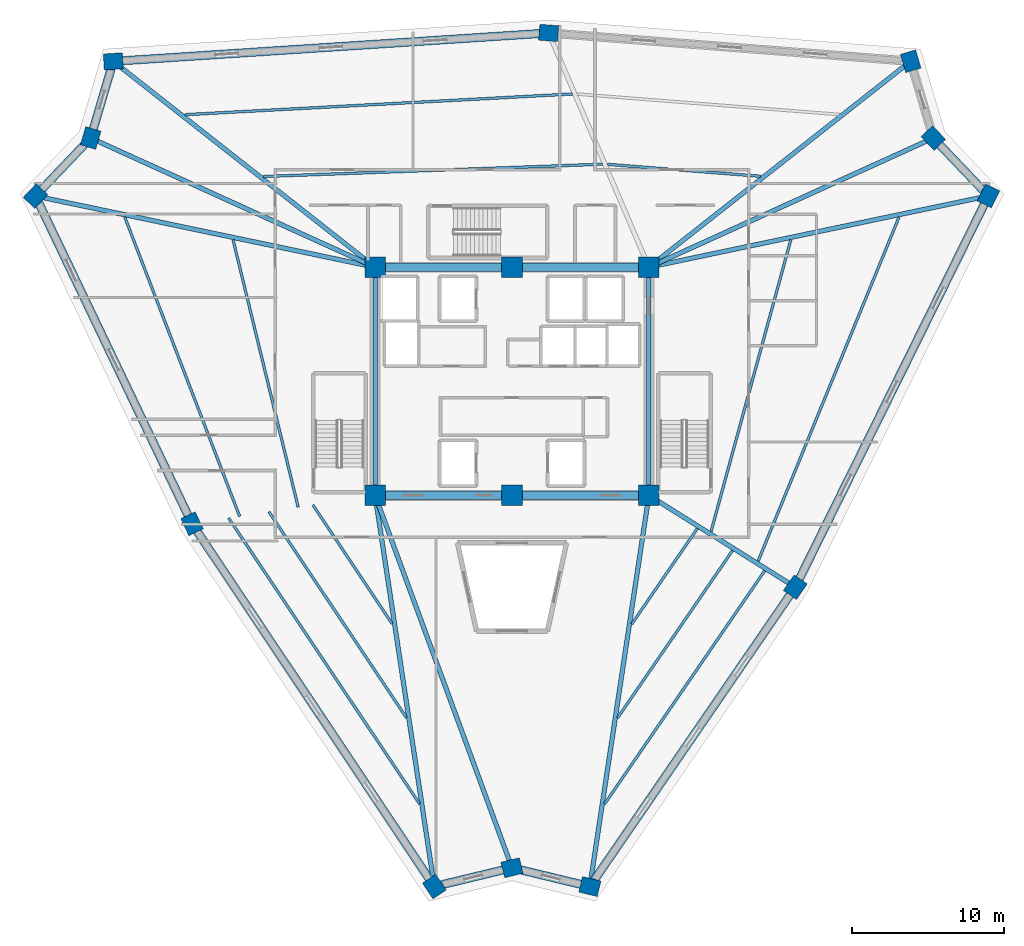
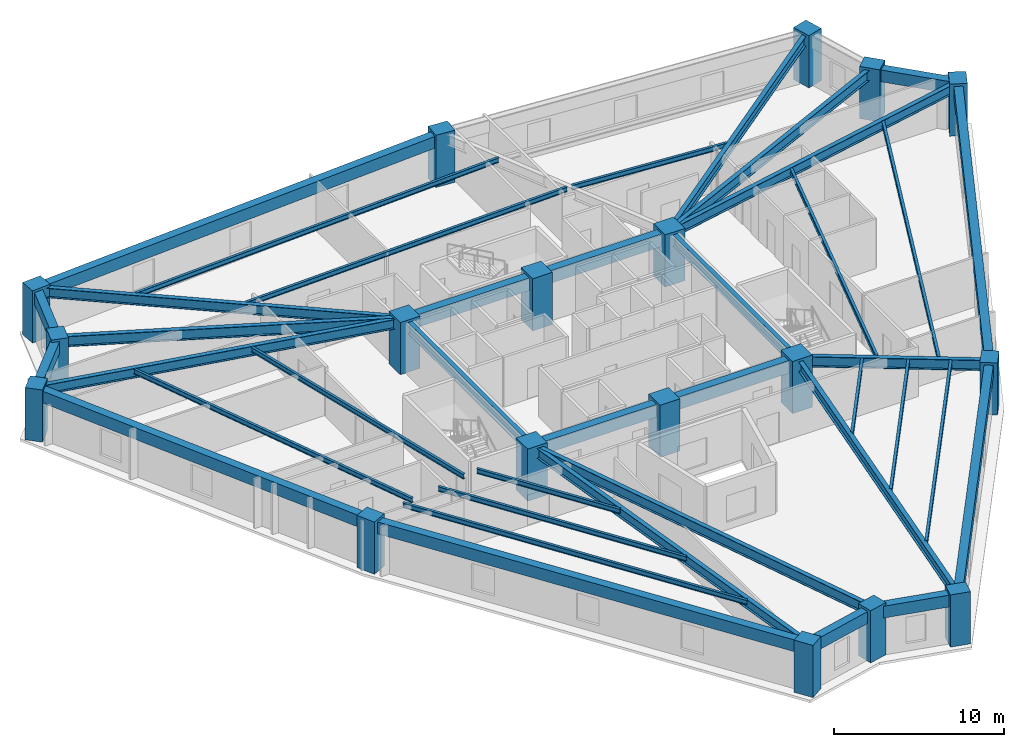
# One storey, part 1 of 8: 39 beams, 18 columns.
"""IFC4 building model written with IfcOpenShell, lengths in metres."""

from ifc_helpers import new_model, si_unit, direction, frame, origin, origin_2d, place, context, subcontext, project, spatial, rectangle, i_section, extrude, source, transform, mapped, material, material_profile, profile_set, type_object, element, save


model = new_model("IFC4")

# Units and contexts
model_context = context("Model", 3, precision=1e-05, world=origin(), true_north=direction((0.0, 1.0)))
body_context = subcontext(model_context, "Body", "Model", "MODEL_VIEW")
ifc_project = project(units=[si_unit("LENGTHUNIT", "METRE"), si_unit("AREAUNIT", "SQUARE_METRE"), si_unit("VOLUMEUNIT", "CUBIC_METRE"), si_unit("PLANEANGLEUNIT", "RADIAN"), si_unit("MASSUNIT", "GRAM", prefix="KILO")], contexts=[model_context])

# Site, building, storey
site_placement = place(None, origin())
site = spatial("IfcSite", under=ifc_project, at=site_placement, CompositionType="ELEMENT")
building_placement = place(site_placement, origin())
building = spatial("IfcBuilding", under=site, at=building_placement, Name="Liaohun Quay Tower", CompositionType="ELEMENT")
storey_placement = place(building_placement, frame((0.0, 0.0, 270.0)))
storey = spatial("IfcBuildingStorey", under=building, at=storey_placement, Name="L70", CompositionType="ELEMENT", Elevation=270.0)

# Columns
ifc_material_1 = material(Name="Concrete C55", Category="concrete")
ifc_material_profile_1 = material_profile(ifc_material_1, rectangle(XDim=1.35009765625, YDim=1.35009765625, at=origin_2d()), Name="RC1350x1350")
ifc_profile_set_1 = profile_set([ifc_material_profile_1], Name="Concrete C55")
column_type_1 = type_object("IfcColumnType", Name="COL-CC-Z3", PredefinedType="COLUMN", material=ifc_profile_set_1)
shared_shape_1 = source(origin(), body_context, "Body", "SweptSolid", [
    extrude(rectangle(XDim=1.35009765625, YDim=1.35009765625, at=origin_2d()), origin(), (0.0, 0.0, 1.0), 3.75),
])
for number, where, z_axis, x_axis, name in (
    (1, (51.0, 46.5, 0.0), (0.0, 0.0, 1.0), (1.0, 0.0, 0.0), "L70 Core Column CC1"),
    (2, (60.0, 46.5, 0.0), (0.0, 0.0, 1.0), (1.0, 0.0, 0.0), "L70 Core Column CC2"),
    (3, (69.0, 46.5, 0.0), (0.0, 0.0, 1.0), (1.0, 0.0, 0.0), "L70 Core Column CC3"),
    (4, (69.0, 61.5, 0.0), (0.0, 0.0, 1.0), (1.0, 0.0, 0.0), "L70 Core Column CC4"),
    (5, (60.0, 61.5, 0.0), (0.0, 0.0, 1.0), (1.0, 0.0, 0.0), "L70 Core Column CC5"),
    (6, (51.0, 61.5, 0.0), (0.0, 0.0, 1.0), (1.0, 0.0, 0.0), "L70 Core Column CC6"),
):
    element("IfcColumn", number, at=place(storey_placement, frame(where, z_axis=z_axis, x_axis=x_axis)), inside=storey, type_object=column_type_1, Name=name, PredefinedType="COLUMN", context=body_context, shape_type="MappedRepresentation", body=[
        mapped(shared_shape_1, transform((0.0, 0.0, 0.0), x_axis=(1.0, 0.0, 0.0), y_axis=(0.0, 1.0, 0.0), z_axis=(0.0, 0.0, 1.0), scale=1.0)),
    ])
ifc_material_profile_2 = material_profile(ifc_material_1, rectangle(XDim=1.25, YDim=1.050048828125, at=origin_2d()), Name="RC1250x1050")
ifc_profile_set_2 = profile_set([ifc_material_profile_2], Name="Concrete C55")
column_type_2 = type_object("IfcColumnType", Name="COL-PIER-Z3", PredefinedType="COLUMN", material=ifc_profile_set_2)
shared_shape_2 = source(origin(), body_context, "Body", "SweptSolid", [
    extrude(rectangle(XDim=1.25, YDim=1.050048828125, at=origin_2d()), origin(), (0.0, 0.0, 1.0), 3.75),
])
for number, where, z_axis, x_axis, name in (
    (7, (54.89208984375, 20.783935546875, 0.0), (0.0, 0.0, 1.0), (-0.555279961531, 0.831663492238, 0.0), "L70 Perimeter Pier PC01"),
    (8, (38.964111328125, 44.638916015625, 0.0), (0.0, 0.0, 1.0), (-0.430983630323, 0.902359745553, 0.0), "L70 Perimeter Pier PC02"),
    (9, (28.674072265625, 66.178955078125, 0.0), (0.0, 0.0, 1.0), (0.68936671806, 0.724412539946, 0.0), "L70 Perimeter Pier PC03"),
    (10, (32.302001953125, 69.991943359375, 0.0), (0.0, 0.0, 1.0), (0.282676303383, 0.959215360337, 0.0), "L70 Perimeter Pier PC04"),
    (11, (33.7880859375, 75.031982421875, 0.0), (0.0, 0.0, 1.0), (0.997881692444, 0.065054806779, 0.0), "L70 Perimeter Pier PC05"),
    (12, (62.412109375, 76.89892578125, 0.0), (0.0, 0.0, 1.0), (-0.996958278162, 0.077937100301, 0.0), "L70 Perimeter Pier PC06"),
    (13, (86.2099609375, 75.0400390625, 0.0), (0.0, 0.0, 1.0), (-0.282676303383, 0.959215360337, 0.0), "L70 Perimeter Pier PC07"),
    (14, (87.697998046875, 69.991943359375, 0.0), (0.0, 0.0, 1.0), (-0.68936671806, 0.724412539946, 0.0), "L70 Perimeter Pier PC08"),
    (15, (91.320068359375, 66.18505859375, 0.0), (0.0, 0.0, 1.0), (0.442601730913, 0.896718299017, 0.0), "L70 Perimeter Pier PC09"),
    (16, (78.625, 40.4619140625, 0.0), (0.0, 0.0, 1.0), (0.56597464784, 0.824422645251, 0.0), "L70 Perimeter Pier PC10"),
    (17, (65.115966796875, 20.781982421875, 0.0), (0.0, 0.0, 1.0), (-0.972043021443, 0.234802820391, 0.0), "L70 Perimeter Pier PC11"),
    (18, (60.0, 22.01708984375, 0.0), (0.0, 0.0, 1.0), (0.972043021443, 0.234802820391, 0.0), "L70 Perimeter Pier PC12"),
):
    element("IfcColumn", number, at=place(storey_placement, frame(where, z_axis=z_axis, x_axis=x_axis)), inside=storey, type_object=column_type_2, Name=name, PredefinedType="COLUMN", context=body_context, shape_type="MappedRepresentation", body=[
        mapped(shared_shape_2, transform((0.0, 0.0, 0.0), x_axis=(1.0, 0.0, 0.0), y_axis=(0.0, 1.0, 0.0), z_axis=(0.0, 0.0, 1.0), scale=1.0)),
    ])

# Beams
ifc_material_2 = material(Name="Steel Q355D", Category="steel")
ifc_material_profile_3 = material_profile(ifc_material_2, i_section(OverallWidth=0.300048828125, OverallDepth=0.800048828125, WebThickness=0.013916015625, FlangeThickness=0.02587890625, at=origin_2d()), Name="HN800x300x14x26")
ifc_profile_set_3 = profile_set([ifc_material_profile_3], Name="Steel Q355D")
beam_type_1 = type_object("IfcBeamType", Name="BM-RAD-M1", PredefinedType="BEAM", material=ifc_profile_set_3)
shared_shape_3 = source(origin(), body_context, "Body", "SweptSolid", [
    extrude(i_section(OverallWidth=0.300048828125, OverallDepth=0.800048828125, WebThickness=0.013916015625, FlangeThickness=0.02587890625, at=origin_2d()), origin(), (0.0, 0.0, 1.0), 15.0),
])
for number, where, z_axis, x_axis, name in (
    (19, (69.0, 46.5, 3.169921875), (0.0, 1.0, 0.0), (-1.0, 0.0, 0.0), "L70 Core Coupling/Ring Beam CC3-CC4"),
    (20, (51.0, 61.5, 3.169921875), (0.0, -1.0, 0.0), (1.0, 0.0, 0.0), "L70 Core Coupling/Ring Beam CC6-CC1"),
):
    element("IfcBeam", number, at=place(storey_placement, frame(where, z_axis=z_axis, x_axis=x_axis)), inside=storey, type_object=beam_type_1, Name=name, PredefinedType="BEAM", context=body_context, shape_type="MappedRepresentation", body=[
        mapped(shared_shape_3, transform((0.0, 0.0, 0.0), x_axis=(1.0, 0.0, 0.0), y_axis=(0.0, 1.0, 0.0), z_axis=(0.0, 0.0, 1.0), scale=1.0)),
    ])
ifc_material_profile_4 = material_profile(ifc_material_1, rectangle(XDim=0.550048828125, YDim=0.89990234375, at=origin_2d()), Name="RC550x900")
ifc_profile_set_4 = profile_set([ifc_material_profile_4], Name="Concrete C55")
beam_type_2 = type_object("IfcBeamType", Name="BM-CPL-2", PredefinedType="LINTEL", material=ifc_profile_set_4)
shared_shape_4 = source(origin(), body_context, "Body", "SweptSolid", [
    extrude(rectangle(XDim=0.550048828125, YDim=0.89990234375, at=origin_2d()), origin(), (0.0, 0.0, 1.0), 9.0),
])
for number, where, z_axis, x_axis, name in (
    (21, (51.0, 46.5, 3.1201171875), (1.0, 0.0, 0.0), (0.0, 1.0, 0.0), "L70 Core Coupling/Ring Beam CC1-CC2"),
    (22, (60.0, 46.5, 3.1201171875), (1.0, 0.0, 0.0), (0.0, 1.0, 0.0), "L70 Core Coupling/Ring Beam CC2-CC3"),
    (23, (69.0, 61.5, 3.1201171875), (-1.0, 0.0, 0.0), (0.0, -1.0, 0.0), "L70 Core Coupling/Ring Beam CC4-CC5"),
    (24, (60.0, 61.5, 3.1201171875), (-1.0, 0.0, 0.0), (0.0, -1.0, 0.0), "L70 Core Coupling/Ring Beam CC5-CC6"),
):
    element("IfcBeam", number, at=place(storey_placement, frame(where, z_axis=z_axis, x_axis=x_axis)), inside=storey, type_object=beam_type_2, Name=name, PredefinedType="LINTEL", context=body_context, shape_type="MappedRepresentation", body=[
        mapped(shared_shape_4, transform((0.0, 0.0, 0.0), x_axis=(1.0, 0.0, 0.0), y_axis=(0.0, 1.0, 0.0), z_axis=(0.0, 0.0, 1.0), scale=1.0)),
    ])
ifc_material_profile_5 = material_profile(ifc_material_2, i_section(OverallWidth=0.300048828125, OverallDepth=0.699951171875, WebThickness=0.012939453125, FlangeThickness=0.02392578125, at=origin_2d()), Name="HN700x300x13x24")
ifc_profile_set_5 = profile_set([ifc_material_profile_5], Name="Steel Q355D")
beam_type_3 = type_object("IfcBeamType", Name="BM-RAD-U1", PredefinedType="BEAM", material=ifc_profile_set_5)
shared_shape_5 = source(origin(), body_context, "Body", "SweptSolid", [
    extrude(i_section(OverallWidth=0.300048828125, OverallDepth=0.699951171875, WebThickness=0.012939453125, FlangeThickness=0.02392578125, at=origin_2d()), origin(), (0.0, 0.0, 1.0), 26.009033203125),
])
beam_1_placement = place(storey_placement, frame((51.0, 46.5, 3.219970703125), z_axis=(0.149644377799, -0.988739885002, 0.0), x_axis=(0.988739885002, 0.149644377799, 0.0)))
element("IfcBeam", 25, at=beam_1_placement, inside=storey, type_object=beam_type_3, Name="L70 Radial Primary Girder CC1-PC01", PredefinedType="BEAM", context=body_context, shape_type="MappedRepresentation", body=[
    mapped(shared_shape_5, transform((0.0, 0.0, 0.0), x_axis=(1.0, 0.0, 0.0), y_axis=(0.0, 1.0, 0.0), z_axis=(0.0, 0.0, 1.0), scale=1.0)),
])
shared_shape_6 = source(origin(), body_context, "Body", "SweptSolid", [
    extrude(i_section(OverallWidth=0.300048828125, OverallDepth=0.699951171875, WebThickness=0.012939453125, FlangeThickness=0.02392578125, at=origin_2d()), origin(), (0.0, 0.0, 1.0), 22.81103515625),
])
beam_2_placement = place(storey_placement, frame((51.0, 61.5, 3.219970703125), z_axis=(-0.978737089066, 0.205118771659, 0.0), x_axis=(-0.205118771659, -0.978737089066, 0.0)))
element("IfcBeam", 26, at=beam_2_placement, inside=storey, type_object=beam_type_3, Name="L70 Radial Primary Girder CC6-PC03", PredefinedType="BEAM", context=body_context, shape_type="MappedRepresentation", body=[
    mapped(shared_shape_6, transform((0.0, 0.0, 0.0), x_axis=(1.0, 0.0, 0.0), y_axis=(0.0, 1.0, 0.0), z_axis=(0.0, 0.0, 1.0), scale=1.0)),
])
ifc_material_profile_6 = material_profile(ifc_material_2, i_section(OverallWidth=0.300048828125, OverallDepth=0.75, WebThickness=0.013916015625, FlangeThickness=0.02587890625, at=origin_2d()), Name="HN750x300x14x26")
ifc_profile_set_6 = profile_set([ifc_material_profile_6], Name="Steel Q355D")
beam_type_4 = type_object("IfcBeamType", Name="BM-RAD-M2", PredefinedType="BEAM", material=ifc_profile_set_6)
shared_shape_7 = source(origin(), body_context, "Body", "SweptSolid", [
    extrude(i_section(OverallWidth=0.300048828125, OverallDepth=0.75, WebThickness=0.013916015625, FlangeThickness=0.02587890625, at=origin_2d()), origin(), (0.0, 0.0, 1.0), 20.5361328125),
])
for number, where, z_axis, x_axis, name in (
    (27, (51.0, 61.5, 3.195068359375), (-0.910497529977, 0.413514507491, 0.0), (-0.413514507491, -0.910497529977, 0.0), "L70 Radial Primary Girder CC6-PC04"),
    (28, (69.0, 61.5, 3.195068359375), (0.910497529977, 0.413514507491, 0.0), (-0.413514507491, 0.910497529977, 0.0), "L70 Radial Primary Girder CC4-PC08"),
):
    element("IfcBeam", number, at=place(storey_placement, frame(where, z_axis=z_axis, x_axis=x_axis)), inside=storey, type_object=beam_type_4, Name=name, PredefinedType="BEAM", context=body_context, shape_type="MappedRepresentation", body=[
        mapped(shared_shape_7, transform((0.0, 0.0, 0.0), x_axis=(1.0, 0.0, 0.0), y_axis=(0.0, 1.0, 0.0), z_axis=(0.0, 0.0, 1.0), scale=1.0)),
    ])
shared_shape_8 = source(origin(), body_context, "Body", "SweptSolid", [
    extrude(i_section(OverallWidth=0.300048828125, OverallDepth=0.699951171875, WebThickness=0.012939453125, FlangeThickness=0.02392578125, at=origin_2d()), origin(), (0.0, 0.0, 1.0), 21.894287109375),
])
beam_3_placement = place(storey_placement, frame((51.0, 61.5, 3.219970703125), z_axis=(-0.786133347588, 0.618056922791, 0.0), x_axis=(-0.618056922791, -0.786133347588, 0.0)))
element("IfcBeam", 29, at=beam_3_placement, inside=storey, type_object=beam_type_3, Name="L70 Radial Primary Girder CC6-PC05", PredefinedType="BEAM", context=body_context, shape_type="MappedRepresentation", body=[
    mapped(shared_shape_8, transform((0.0, 0.0, 0.0), x_axis=(1.0, 0.0, 0.0), y_axis=(0.0, 1.0, 0.0), z_axis=(0.0, 0.0, 1.0), scale=1.0)),
])
shared_shape_9 = source(origin(), body_context, "Body", "SweptSolid", [
    extrude(i_section(OverallWidth=0.300048828125, OverallDepth=0.699951171875, WebThickness=0.012939453125, FlangeThickness=0.02392578125, at=origin_2d()), origin(), (0.0, 0.0, 1.0), 21.89794921875),
])
beam_4_placement = place(storey_placement, frame((69.0, 61.5, 3.219970703125), z_axis=(0.785920467008, 0.618327598881, 0.0), x_axis=(-0.618327598881, 0.785920467008, 0.0)))
element("IfcBeam", 30, at=beam_4_placement, inside=storey, type_object=beam_type_3, Name="L70 Radial Primary Girder CC4-PC07", PredefinedType="BEAM", context=body_context, shape_type="MappedRepresentation", body=[
    mapped(shared_shape_9, transform((0.0, 0.0, 0.0), x_axis=(1.0, 0.0, 0.0), y_axis=(0.0, 1.0, 0.0), z_axis=(0.0, 0.0, 1.0), scale=1.0)),
])
shared_shape_10 = source(origin(), body_context, "Body", "SweptSolid", [
    extrude(i_section(OverallWidth=0.300048828125, OverallDepth=0.699951171875, WebThickness=0.012939453125, FlangeThickness=0.02392578125, at=origin_2d()), origin(), (0.0, 0.0, 1.0), 22.806396484375),
])
beam_5_placement = place(storey_placement, frame((69.0, 61.5, 3.219970703125), z_axis=(0.978672504065, 0.205426701738, 0.0), x_axis=(-0.205426701738, 0.978672504065, 0.0)))
element("IfcBeam", 31, at=beam_5_placement, inside=storey, type_object=beam_type_3, Name="L70 Radial Primary Girder CC4-PC09", PredefinedType="BEAM", context=body_context, shape_type="MappedRepresentation", body=[
    mapped(shared_shape_10, transform((0.0, 0.0, 0.0), x_axis=(1.0, 0.0, 0.0), y_axis=(0.0, 1.0, 0.0), z_axis=(0.0, 0.0, 1.0), scale=1.0)),
])
shared_shape_11 = source(origin(), body_context, "Body", "SweptSolid", [
    extrude(i_section(OverallWidth=0.300048828125, OverallDepth=0.75, WebThickness=0.013916015625, FlangeThickness=0.02587890625, at=origin_2d()), origin(), (0.0, 0.0, 1.0), 11.362060546875),
])
beam_6_placement = place(storey_placement, frame((69.0, 46.5, 3.195068359375), z_axis=(0.847108655866, -0.531419725976, 0.0), x_axis=(0.531419725976, 0.847108655866, 0.0)))
element("IfcBeam", 32, at=beam_6_placement, inside=storey, type_object=beam_type_4, Name="L70 Radial Primary Girder CC3-PC10", PredefinedType="BEAM", context=body_context, shape_type="MappedRepresentation", body=[
    mapped(shared_shape_11, transform((0.0, 0.0, 0.0), x_axis=(1.0, 0.0, 0.0), y_axis=(0.0, 1.0, 0.0), z_axis=(0.0, 0.0, 1.0), scale=1.0)),
])
shared_shape_12 = source(origin(), body_context, "Body", "SweptSolid", [
    extrude(i_section(OverallWidth=0.300048828125, OverallDepth=0.699951171875, WebThickness=0.012939453125, FlangeThickness=0.02392578125, at=origin_2d()), origin(), (0.0, 0.0, 1.0), 26.009765625),
])
beam_7_placement = place(storey_placement, frame((69.0, 46.5, 3.219970703125), z_axis=(-0.149330440374, -0.988787348006, 0.0), x_axis=(0.988787348006, -0.149330440374, 0.0)))
element("IfcBeam", 33, at=beam_7_placement, inside=storey, type_object=beam_type_3, Name="L70 Radial Primary Girder CC3-PC11", PredefinedType="BEAM", context=body_context, shape_type="MappedRepresentation", body=[
    mapped(shared_shape_12, transform((0.0, 0.0, 0.0), x_axis=(1.0, 0.0, 0.0), y_axis=(0.0, 1.0, 0.0), z_axis=(0.0, 0.0, 1.0), scale=1.0)),
])
shared_shape_13 = source(origin(), body_context, "Body", "SweptSolid", [
    extrude(i_section(OverallWidth=0.300048828125, OverallDepth=0.75, WebThickness=0.013916015625, FlangeThickness=0.02587890625, at=origin_2d()), origin(), (0.0, 0.0, 1.0), 26.084716796875),
])
beam_8_placement = place(storey_placement, frame((51.0, 46.5, 3.195068359375), z_axis=(0.345029511511, -0.938591836842, 0.0), x_axis=(0.938591836842, 0.345029511511, 0.0)))
element("IfcBeam", 34, at=beam_8_placement, inside=storey, type_object=beam_type_4, Name="L70 Radial Primary Girder CC1-PC12", PredefinedType="BEAM", context=body_context, shape_type="MappedRepresentation", body=[
    mapped(shared_shape_13, transform((0.0, 0.0, 0.0), x_axis=(1.0, 0.0, 0.0), y_axis=(0.0, 1.0, 0.0), z_axis=(0.0, 0.0, 1.0), scale=1.0)),
])
ifc_material_profile_7 = material_profile(ifc_material_2, i_section(OverallWidth=0.175048828125, OverallDepth=0.35009765625, WebThickness=0.007080078125, FlangeThickness=0.010986328125, at=origin_2d()), Name="HN350x175x7x11")
ifc_profile_set_7 = profile_set([ifc_material_profile_7], Name="Steel Q355D")
beam_type_5 = type_object("IfcBeamType", Name="BM-SEC-J3", PredefinedType="JOIST", material=ifc_profile_set_7)
shared_shape_14 = source(origin(), body_context, "Body", "SweptSolid", [
    extrude(i_section(OverallWidth=0.175048828125, OverallDepth=0.35009765625, WebThickness=0.007080078125, FlangeThickness=0.010986328125, at=origin_2d()), origin(), (0.0, 0.0, 1.0), 9.39892578125),
])
beam_9_placement = place(storey_placement, frame((52.126953125, 38.050048828125, 3.39501953125), z_axis=(-0.555269520232, 0.831670463526, 0.0), x_axis=(-0.831670463526, -0.555269520232, 0.0)))
element("IfcBeam", 35, at=beam_9_placement, inside=storey, type_object=beam_type_5, Name="L70 Wing Secondary Floor Joist SJ-01", PredefinedType="JOIST", context=body_context, shape_type="MappedRepresentation", body=[
    mapped(shared_shape_14, transform((0.0, 0.0, 0.0), x_axis=(1.0, 0.0, 0.0), y_axis=(0.0, 1.0, 0.0), z_axis=(0.0, 0.0, 1.0), scale=1.0)),
])
shared_shape_15 = source(origin(), body_context, "Body", "SweptSolid", [
    extrude(i_section(OverallWidth=0.175048828125, OverallDepth=0.35009765625, WebThickness=0.007080078125, FlangeThickness=0.010986328125, at=origin_2d()), origin(), (0.0, 0.0, 1.0), 16.283203125),
])
beam_10_placement = place(storey_placement, frame((53.06103515625, 31.87890625, 3.39501953125), z_axis=(-0.555295176571, 0.831653333353, 0.0), x_axis=(-0.831653333353, -0.555295176571, 0.0)))
element("IfcBeam", 36, at=beam_10_placement, inside=storey, type_object=beam_type_5, Name="L70 Wing Secondary Floor Joist SJ-02", PredefinedType="JOIST", context=body_context, shape_type="MappedRepresentation", body=[
    mapped(shared_shape_15, transform((0.0, 0.0, 0.0), x_axis=(1.0, 0.0, 0.0), y_axis=(0.0, 1.0, 0.0), z_axis=(0.0, 0.0, 1.0), scale=1.0)),
])
shared_shape_16 = source(origin(), body_context, "Body", "SweptSolid", [
    extrude(i_section(OverallWidth=0.175048828125, OverallDepth=0.35009765625, WebThickness=0.007080078125, FlangeThickness=0.010986328125, at=origin_2d()), origin(), (0.0, 0.0, 1.0), 22.593505859375),
])
beam_11_placement = place(storey_placement, frame((53.9169921875, 26.220947265625, 3.39501953125), z_axis=(-0.555288558085, 0.83165775248, 0.0), x_axis=(-0.83165775248, -0.555288558085, 0.0)))
element("IfcBeam", 37, at=beam_11_placement, inside=storey, type_object=beam_type_5, Name="L70 Wing Secondary Floor Joist SJ-03", PredefinedType="JOIST", context=body_context, shape_type="MappedRepresentation", body=[
    mapped(shared_shape_16, transform((0.0, 0.0, 0.0), x_axis=(1.0, 0.0, 0.0), y_axis=(0.0, 1.0, 0.0), z_axis=(0.0, 0.0, 1.0), scale=1.0)),
])
shared_shape_17 = source(origin(), body_context, "Body", "SweptSolid", [
    extrude(i_section(OverallWidth=0.175048828125, OverallDepth=0.35009765625, WebThickness=0.007080078125, FlangeThickness=0.010986328125, at=origin_2d()), origin(), (0.0, 0.0, 1.0), 18.099853515625),
])
beam_12_placement = place(storey_placement, frame((45.945068359375, 45.718017578125, 3.39501953125), z_axis=(-0.236627952665, 0.971600335538, 0.0), x_axis=(-0.971600335538, -0.236627952665, 0.0)))
element("IfcBeam", 38, at=beam_12_placement, inside=storey, type_object=beam_type_5, Name="L70 Wing Secondary Floor Joist SJ-04", PredefinedType="JOIST", context=body_context, shape_type="MappedRepresentation", body=[
    mapped(shared_shape_17, transform((0.0, 0.0, 0.0), x_axis=(1.0, 0.0, 0.0), y_axis=(0.0, 1.0, 0.0), z_axis=(0.0, 0.0, 1.0), scale=1.0)),
])
shared_shape_18 = source(origin(), body_context, "Body", "SweptSolid", [
    extrude(i_section(OverallWidth=0.175048828125, OverallDepth=0.35009765625, WebThickness=0.007080078125, FlangeThickness=0.010986328125, at=origin_2d()), origin(), (0.0, 0.0, 1.0), 21.07177734375),
])
beam_13_placement = place(storey_placement, frame((42.093017578125, 45.123046875, 3.39501953125), z_axis=(-0.358299645537, 0.933606643083, 0.0), x_axis=(-0.933606643083, -0.358299645537, 0.0)))
element("IfcBeam", 39, at=beam_13_placement, inside=storey, type_object=beam_type_5, Name="L70 Wing Secondary Floor Joist SJ-05", PredefinedType="JOIST", context=body_context, shape_type="MappedRepresentation", body=[
    mapped(shared_shape_18, transform((0.0, 0.0, 0.0), x_axis=(1.0, 0.0, 0.0), y_axis=(0.0, 1.0, 0.0), z_axis=(0.0, 0.0, 1.0), scale=1.0)),
])
shared_shape_19 = source(origin(), body_context, "Body", "SweptSolid", [
    extrude(i_section(OverallWidth=0.175048828125, OverallDepth=0.35009765625, WebThickness=0.007080078125, FlangeThickness=0.010986328125, at=origin_2d()), origin(), (0.0, 0.0, 1.0), 22.296630859375),
])
beam_14_placement = place(storey_placement, frame((43.658935546875, 67.4619140625, 3.39501953125), z_axis=(0.999342992579, 0.036243388141, 0.0), x_axis=(-0.036243388141, 0.999342992579, 0.0)))
element("IfcBeam", 40, at=beam_14_placement, inside=storey, type_object=beam_type_5, Name="L70 Wing Secondary Floor Joist SJ-06", PredefinedType="JOIST", context=body_context, shape_type="MappedRepresentation", body=[
    mapped(shared_shape_19, transform((0.0, 0.0, 0.0), x_axis=(1.0, 0.0, 0.0), y_axis=(0.0, 1.0, 0.0), z_axis=(0.0, 0.0, 1.0), scale=1.0)),
])
shared_shape_20 = source(origin(), body_context, "Body", "SweptSolid", [
    extrude(i_section(OverallWidth=0.175048828125, OverallDepth=0.35009765625, WebThickness=0.007080078125, FlangeThickness=0.010986328125, at=origin_2d()), origin(), (0.0, 0.0, 1.0), 25.511474609375),
])
beam_15_placement = place(storey_placement, frame((38.489990234375, 71.52587890625, 3.39501953125), z_axis=(0.998575771856, 0.053351924636, 0.0), x_axis=(-0.053351924636, 0.998575771856, 0.0)))
element("IfcBeam", 41, at=beam_15_placement, inside=storey, type_object=beam_type_5, Name="L70 Wing Secondary Floor Joist SJ-07", PredefinedType="JOIST", context=body_context, shape_type="MappedRepresentation", body=[
    mapped(shared_shape_20, transform((0.0, 0.0, 0.0), x_axis=(1.0, 0.0, 0.0), y_axis=(0.0, 1.0, 0.0), z_axis=(0.0, 0.0, 1.0), scale=1.0)),
])
shared_shape_21 = source(origin(), body_context, "Body", "SweptSolid", [
    extrude(i_section(OverallWidth=0.175048828125, OverallDepth=0.35009765625, WebThickness=0.007080078125, FlangeThickness=0.010986328125, at=origin_2d()), origin(), (0.0, 0.0, 1.0), 10.11279296875),
])
beam_16_placement = place(storey_placement, frame((66.27001953125, 68.261962890625, 3.39501953125), z_axis=(0.996968230919, -0.077809681525, 0.0), x_axis=(0.077809681525, 0.996968230919, 0.0)))
element("IfcBeam", 42, at=beam_16_placement, inside=storey, type_object=beam_type_5, Name="L70 Wing Secondary Floor Joist SJ-08", PredefinedType="JOIST", context=body_context, shape_type="MappedRepresentation", body=[
    mapped(shared_shape_21, transform((0.0, 0.0, 0.0), x_axis=(1.0, 0.0, 0.0), y_axis=(0.0, 1.0, 0.0), z_axis=(0.0, 0.0, 1.0), scale=1.0)),
])
shared_shape_22 = source(origin(), body_context, "Body", "SweptSolid", [
    extrude(i_section(OverallWidth=0.175048828125, OverallDepth=0.35009765625, WebThickness=0.007080078125, FlangeThickness=0.010986328125, at=origin_2d()), origin(), (0.0, 0.0, 1.0), 19.89404296875),
])
beam_17_placement = place(storey_placement, frame((78.330078125, 63.304931640625, 3.39501953125), z_axis=(-0.263700938904, -0.964604486212, 0.0), x_axis=(0.964604486212, -0.263700938904, 0.0)))
element("IfcBeam", 43, at=beam_17_placement, inside=storey, type_object=beam_type_5, Name="L70 Wing Secondary Floor Joist SJ-10", PredefinedType="JOIST", context=body_context, shape_type="MappedRepresentation", body=[
    mapped(shared_shape_22, transform((0.0, 0.0, 0.0), x_axis=(1.0, 0.0, 0.0), y_axis=(0.0, 1.0, 0.0), z_axis=(0.0, 0.0, 1.0), scale=1.0)),
])
shared_shape_23 = source(origin(), body_context, "Body", "SweptSolid", [
    extrude(i_section(OverallWidth=0.175048828125, OverallDepth=0.35009765625, WebThickness=0.007080078125, FlangeThickness=0.010986328125, at=origin_2d()), origin(), (0.0, 0.0, 1.0), 24.45068359375),
])
beam_18_placement = place(storey_placement, frame((85.447998046875, 64.799072265625, 3.39501953125), z_axis=(-0.379052709301, -0.92537508264, 0.0), x_axis=(0.92537508264, -0.379052709301, 0.0)))
element("IfcBeam", 44, at=beam_18_placement, inside=storey, type_object=beam_type_5, Name="L70 Wing Secondary Floor Joist SJ-11", PredefinedType="JOIST", context=body_context, shape_type="MappedRepresentation", body=[
    mapped(shared_shape_23, transform((0.0, 0.0, 0.0), x_axis=(1.0, 0.0, 0.0), y_axis=(0.0, 1.0, 0.0), z_axis=(0.0, 0.0, 1.0), scale=1.0)),
])
shared_shape_24 = source(origin(), body_context, "Body", "SweptSolid", [
    extrude(i_section(OverallWidth=0.175048828125, OverallDepth=0.35009765625, WebThickness=0.007080078125, FlangeThickness=0.010986328125, at=origin_2d()), origin(), (0.0, 0.0, 1.0), 7.622314453125),
])
beam_19_placement = place(storey_placement, frame((72.18798828125, 44.322998046875, 3.39501953125), z_axis=(-0.565972711745, -0.824423974397, 0.0), x_axis=(0.824423974397, -0.565972711745, 0.0)))
element("IfcBeam", 45, at=beam_19_placement, inside=storey, type_object=beam_type_5, Name="L70 Wing Secondary Floor Joist SJ-12", PredefinedType="JOIST", context=body_context, shape_type="MappedRepresentation", body=[
    mapped(shared_shape_24, transform((0.0, 0.0, 0.0), x_axis=(1.0, 0.0, 0.0), y_axis=(0.0, 1.0, 0.0), z_axis=(0.0, 0.0, 1.0), scale=1.0)),
])
shared_shape_25 = source(origin(), body_context, "Body", "SweptSolid", [
    extrude(i_section(OverallWidth=0.175048828125, OverallDepth=0.35009765625, WebThickness=0.007080078125, FlangeThickness=0.010986328125, at=origin_2d()), origin(), (0.0, 0.0, 1.0), 13.35107421875),
])
beam_20_placement = place(storey_placement, frame((74.498046875, 42.8740234375, 3.39501953125), z_axis=(-0.565958273742, -0.824433885999, 0.0), x_axis=(0.824433885999, -0.565958273742, 0.0)))
element("IfcBeam", 46, at=beam_20_placement, inside=storey, type_object=beam_type_5, Name="L70 Wing Secondary Floor Joist SJ-13", PredefinedType="JOIST", context=body_context, shape_type="MappedRepresentation", body=[
    mapped(shared_shape_25, transform((0.0, 0.0, 0.0), x_axis=(1.0, 0.0, 0.0), y_axis=(0.0, 1.0, 0.0), z_axis=(0.0, 0.0, 1.0), scale=1.0)),
])
shared_shape_26 = source(origin(), body_context, "Body", "SweptSolid", [
    extrude(i_section(OverallWidth=0.175048828125, OverallDepth=0.35009765625, WebThickness=0.007080078125, FlangeThickness=0.010986328125, at=origin_2d()), origin(), (0.0, 0.0, 1.0), 18.602783203125),
])
beam_21_placement = place(storey_placement, frame((76.614990234375, 41.5458984375, 3.39501953125), z_axis=(-0.565942733261, -0.82444455403, 0.0), x_axis=(0.82444455403, -0.565942733261, 0.0)))
element("IfcBeam", 47, at=beam_21_placement, inside=storey, type_object=beam_type_5, Name="L70 Wing Secondary Floor Joist SJ-14", PredefinedType="JOIST", context=body_context, shape_type="MappedRepresentation", body=[
    mapped(shared_shape_26, transform((0.0, 0.0, 0.0), x_axis=(1.0, 0.0, 0.0), y_axis=(0.0, 1.0, 0.0), z_axis=(0.0, 0.0, 1.0), scale=1.0)),
])
ifc_material_3 = material(Name="Precast concrete C50", Category="concrete")
ifc_material_profile_8 = material_profile(ifc_material_3, rectangle(XDim=0.550048828125, YDim=0.85009765625, at=origin_2d()), Name="RC550x850")
ifc_profile_set_8 = profile_set([ifc_material_profile_8], Name="Precast concrete C50")
beam_type_6 = type_object("IfcBeamType", Name="BM-SPD-Z3", PredefinedType="SPANDREL", material=ifc_profile_set_8)
shared_shape_27 = source(origin(), body_context, "Body", "SweptSolid", [
    extrude(rectangle(XDim=0.550048828125, YDim=0.85009765625, at=origin_2d()), origin(), (0.0, 0.0, 1.0), 28.683837890625),
])
beam_22_placement = place(storey_placement, frame((54.89208984375, 20.783935546875, 3.14501953125), z_axis=(-0.555295200769, 0.831653317196, 0.0), x_axis=(-0.831653317196, -0.555295200769, 0.0)))
element("IfcBeam", 48, at=beam_22_placement, inside=storey, type_object=beam_type_6, Name="L70 Precast Spandrel Beam PC01-PC02", PredefinedType="SPANDREL", context=body_context, shape_type="MappedRepresentation", body=[
    mapped(shared_shape_27, transform((0.0, 0.0, 0.0), x_axis=(1.0, 0.0, 0.0), y_axis=(0.0, 1.0, 0.0), z_axis=(0.0, 0.0, 1.0), scale=1.0)),
])
shared_shape_28 = source(origin(), body_context, "Body", "SweptSolid", [
    extrude(rectangle(XDim=0.550048828125, YDim=0.85009765625, at=origin_2d()), origin(), (0.0, 0.0, 1.0), 23.87158203125),
])
beam_23_placement = place(storey_placement, frame((38.964111328125, 44.638916015625, 3.14501953125), z_axis=(-0.431055933445, 0.902325208693, 0.0), x_axis=(-0.902325208693, -0.431055933445, 0.0)))
element("IfcBeam", 49, at=beam_23_placement, inside=storey, type_object=beam_type_6, Name="L70 Precast Spandrel Beam PC02-PC03", PredefinedType="SPANDREL", context=body_context, shape_type="MappedRepresentation", body=[
    mapped(shared_shape_28, transform((0.0, 0.0, 0.0), x_axis=(1.0, 0.0, 0.0), y_axis=(0.0, 1.0, 0.0), z_axis=(0.0, 0.0, 1.0), scale=1.0)),
])
shared_shape_29 = source(origin(), body_context, "Body", "SweptSolid", [
    extrude(rectangle(XDim=0.550048828125, YDim=0.85009765625, at=origin_2d()), origin(), (0.0, 0.0, 1.0), 5.26318359375),
])
beam_24_placement = place(storey_placement, frame((28.674072265625, 66.178955078125, 3.14501953125), z_axis=(0.689307605808, 0.724468787854, 0.0), x_axis=(-0.724468787854, 0.689307605808, 0.0)))
element("IfcBeam", 50, at=beam_24_placement, inside=storey, type_object=beam_type_6, Name="L70 Precast Spandrel Beam PC03-PC04", PredefinedType="SPANDREL", context=body_context, shape_type="MappedRepresentation", body=[
    mapped(shared_shape_29, transform((0.0, 0.0, 0.0), x_axis=(1.0, 0.0, 0.0), y_axis=(0.0, 1.0, 0.0), z_axis=(0.0, 0.0, 1.0), scale=1.0)),
])
shared_shape_30 = source(origin(), body_context, "Body", "SweptSolid", [
    extrude(rectangle(XDim=0.550048828125, YDim=0.85009765625, at=origin_2d()), origin(), (0.0, 0.0, 1.0), 5.254638671875),
])
for number, where, z_axis, x_axis, name in (
    (51, (32.302001953125, 69.991943359375, 3.14501953125), (0.282817770943, 0.959173659167, 0.0), (-0.959173659167, 0.282817770943, 0.0), "L70 Precast Spandrel Beam PC04-PC05"),
    (52, (87.697998046875, 69.991943359375, 3.14501953125), (0.689302403293, -0.724473737837, 0.0), (0.724473737837, 0.689302403293, 0.0), "L70 Precast Spandrel Beam PC08-PC09"),
    (53, (60.0, 22.01708984375, 3.14501953125), (-0.972073072096, -0.234678380994, 0.0), (0.234678380994, -0.972073072096, 0.0), "L70 Precast Spandrel Beam PC12-PC01"),
):
    element("IfcBeam", number, at=place(storey_placement, frame(where, z_axis=z_axis, x_axis=x_axis)), inside=storey, type_object=beam_type_6, Name=name, PredefinedType="SPANDREL", context=body_context, shape_type="MappedRepresentation", body=[
        mapped(shared_shape_30, transform((0.0, 0.0, 0.0), x_axis=(1.0, 0.0, 0.0), y_axis=(0.0, 1.0, 0.0), z_axis=(0.0, 0.0, 1.0), scale=1.0)),
    ])
shared_shape_31 = source(origin(), body_context, "Body", "SweptSolid", [
    extrude(rectangle(XDim=0.550048828125, YDim=0.85009765625, at=origin_2d()), origin(), (0.0, 0.0, 1.0), 28.684814453125),
])
beam_25_placement = place(storey_placement, frame((33.7880859375, 75.031982421875, 3.14501953125), z_axis=(0.997879745479, 0.065084664577, 0.0), x_axis=(-0.065084664577, 0.997879745479, 0.0)))
element("IfcBeam", 54, at=beam_25_placement, inside=storey, type_object=beam_type_6, Name="L70 Precast Spandrel Beam PC05-PC06", PredefinedType="SPANDREL", context=body_context, shape_type="MappedRepresentation", body=[
    mapped(shared_shape_31, transform((0.0, 0.0, 0.0), x_axis=(1.0, 0.0, 0.0), y_axis=(0.0, 1.0, 0.0), z_axis=(0.0, 0.0, 1.0), scale=1.0)),
])
shared_shape_32 = source(origin(), body_context, "Body", "SweptSolid", [
    extrude(rectangle(XDim=0.550048828125, YDim=0.85009765625, at=origin_2d()), origin(), (0.0, 0.0, 1.0), 23.870361328125),
])
beam_26_placement = place(storey_placement, frame((78.625, 40.4619140625, 3.14501953125), z_axis=(-0.565933565048, -0.824450847505, 0.0), x_axis=(0.824450847505, -0.565933565048, 0.0)))
element("IfcBeam", 55, at=beam_26_placement, inside=storey, type_object=beam_type_6, Name="L70 Precast Spandrel Beam PC10-PC11", PredefinedType="SPANDREL", context=body_context, shape_type="MappedRepresentation", body=[
    mapped(shared_shape_32, transform((0.0, 0.0, 0.0), x_axis=(1.0, 0.0, 0.0), y_axis=(0.0, 1.0, 0.0), z_axis=(0.0, 0.0, 1.0), scale=1.0)),
])
shared_shape_33 = source(origin(), body_context, "Body", "SweptSolid", [
    extrude(rectangle(XDim=0.550048828125, YDim=0.85009765625, at=origin_2d()), origin(), (0.0, 0.0, 1.0), 5.262939453125),
])
beam_27_placement = place(storey_placement, frame((65.115966796875, 20.781982421875, 3.14501953125), z_axis=(-0.972072721575, 0.234679832901, 0.0), x_axis=(-0.234679832901, -0.972072721575, 0.0)))
element("IfcBeam", 56, at=beam_27_placement, inside=storey, type_object=beam_type_6, Name="L70 Precast Spandrel Beam PC11-PC12", PredefinedType="SPANDREL", context=body_context, shape_type="MappedRepresentation", body=[
    mapped(shared_shape_33, transform((0.0, 0.0, 0.0), x_axis=(1.0, 0.0, 0.0), y_axis=(0.0, 1.0, 0.0), z_axis=(0.0, 0.0, 1.0), scale=1.0)),
])
shared_shape_34 = source(origin(), body_context, "Body", "SweptSolid", [
    extrude(rectangle(XDim=0.550048828125, YDim=0.85009765625, at=origin_2d()), origin(), (0.0, 0.0, 1.0), 28.685302734375),
])
beam_28_placement = place(storey_placement, frame((91.320068359375, 66.18505859375, 3.14501953125), z_axis=(-0.442563961834, -0.89673694007, 0.0), x_axis=(0.89673694007, -0.442563961834, 0.0)))
element("IfcBeam", 57, at=beam_28_placement, inside=storey, type_object=beam_type_6, Name="L70 Precast Spandrel Beam PC09-PC10", PredefinedType="SPANDREL", context=body_context, shape_type="MappedRepresentation", body=[
    mapped(shared_shape_34, transform((0.0, 0.0, 0.0), x_axis=(1.0, 0.0, 0.0), y_axis=(0.0, 1.0, 0.0), z_axis=(0.0, 0.0, 1.0), scale=1.0)),
])

save(model, "model.ifc")
